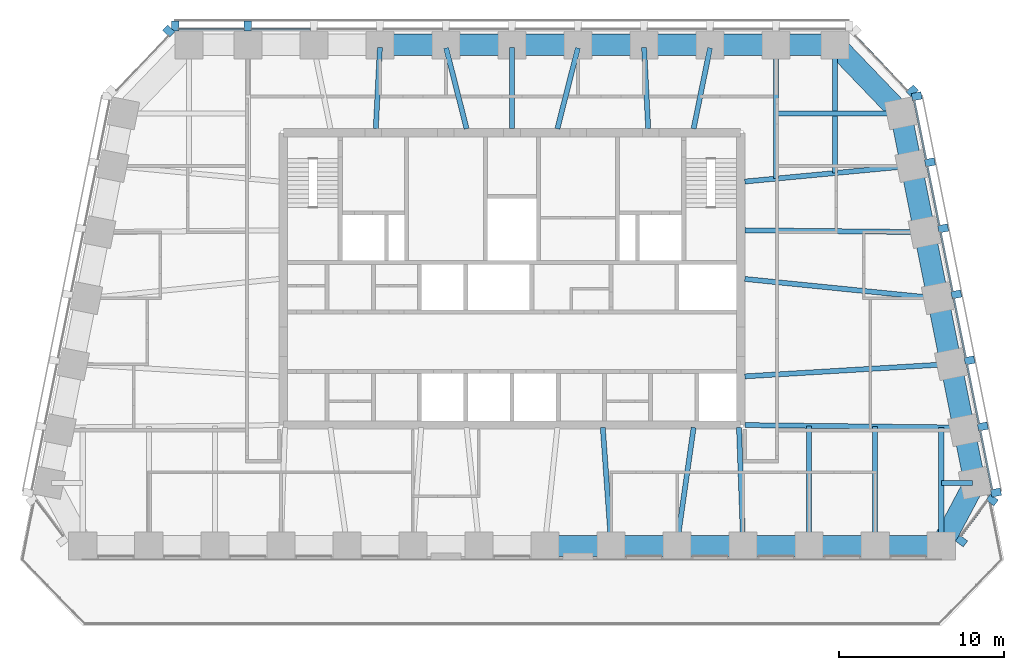
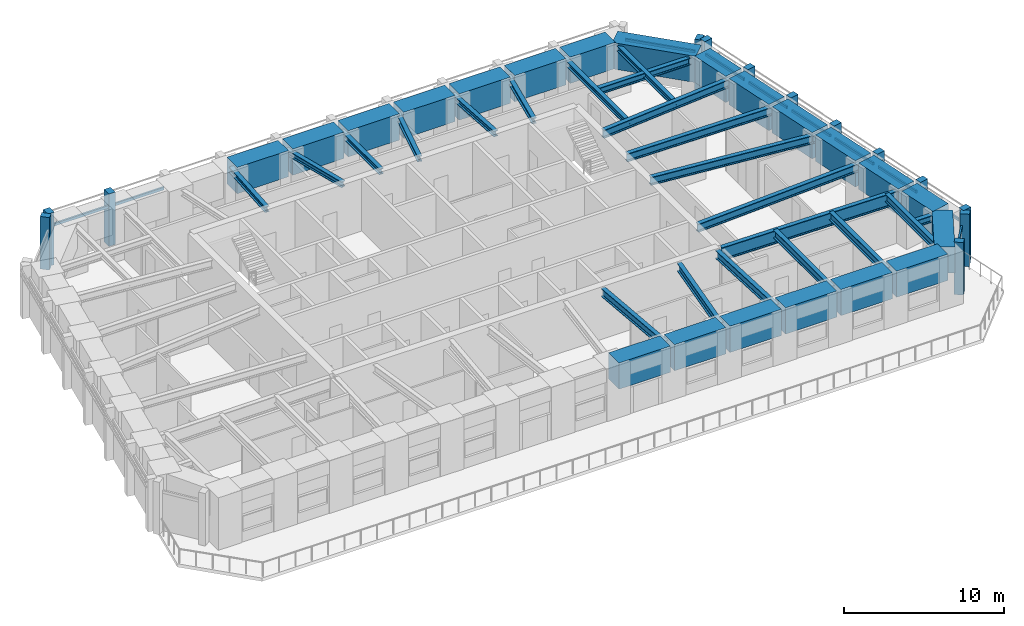
# One storey, part 2 of 10: 42 beams, 23 members, 5 elements without a shape of their own.
"""IFC4 building model written with IfcOpenShell, lengths in metres."""

from ifc_helpers import new_model, si_unit, direction, frame, origin, origin_2d, place, context, subcontext, project, spatial, rectangle, i_section, extrude, material, material_profile, profile_set, type_object, element, aggregate, save


model = new_model("IFC4")

# Units and contexts
model_context = context("Model", 3, precision=1e-05, world=origin(), true_north=direction((0.0, 1.0)))
body_context = subcontext(model_context, "Body", "Model", "MODEL_VIEW")
ifc_project = project(units=[si_unit("LENGTHUNIT", "METRE"), si_unit("AREAUNIT", "SQUARE_METRE"), si_unit("VOLUMEUNIT", "CUBIC_METRE"), si_unit("PLANEANGLEUNIT", "RADIAN"), si_unit("MASSUNIT", "GRAM", prefix="KILO")], contexts=[model_context])

# Site, building, storey
site_placement = place(None, origin())
site = spatial("IfcSite", under=ifc_project, at=site_placement, CompositionType="ELEMENT")
building_placement = place(site_placement, origin())
building = spatial("IfcBuilding", under=site, at=building_placement, Name="Isbrekke Arena Tower", CompositionType="ELEMENT")
storey_placement = place(building_placement, frame((0.0, 0.0, 296.0)))
storey = spatial("IfcBuildingStorey", under=building, at=storey_placement, Name="L69", CompositionType="ELEMENT", Elevation=296.0)

# Beams
ifc_material_1 = material(Name="Steel S355", Category="steel")
ifc_material_profile_1 = material_profile(ifc_material_1, i_section(OverallWidth=0.304931640625, OverallDepth=0.6201171875, WebThickness=0.02099609375, FlangeThickness=0.0400390625, FilletRadius=0.027099609375, at=origin_2d()), Name="HEM 600")
ifc_profile_set_1 = profile_set([ifc_material_profile_1], Name="Steel S355")
beam_type_1 = type_object("IfcBeamType", Name="B4 HEM 600", PredefinedType="BEAM", material=ifc_profile_set_1)
beam_1_placement = place(storey_placement, frame((5.999267578125, -1.01416015625, 3.5400390625), z_axis=(-0.071000313941, 0.997476293162, 0.0), x_axis=(-0.997476293162, -0.071000313941, 0.0)))
element("IfcBeam", 1, at=beam_1_placement, inside=storey, type_object=beam_type_1, Name="B4 beam C-S09 L69", PredefinedType="BEAM", context=body_context, shape_type="SweptSolid", body=[
    extrude(i_section(OverallWidth=0.304931640625, OverallDepth=0.6201171875, WebThickness=0.02099609375, FlangeThickness=0.0400390625, FilletRadius=0.027099609375, at=origin_2d()), origin(), (0.0, 0.0, 1.0), 7.031982421875),
])
beam_2_placement = place(storey_placement, frame((10.0029296875, -1.003662109375, 3.5400390625), z_axis=(0.140943016954, 0.990017709928, 0.0), x_axis=(-0.990017709928, 0.140943016954, 0.0)))
element("IfcBeam", 2, at=beam_2_placement, inside=storey, type_object=beam_type_1, Name="B4 beam C-S10 L69", PredefinedType="BEAM", context=body_context, shape_type="SweptSolid", body=[
    extrude(i_section(OverallWidth=0.304931640625, OverallDepth=0.6201171875, WebThickness=0.02099609375, FlangeThickness=0.0400390625, FilletRadius=0.027099609375, at=origin_2d()), origin(), (0.0, 0.0, 1.0), 7.07421875),
])
beam_3_placement = place(storey_placement, frame((13.999755859375, -1.01953125, 3.5400390625), z_axis=(-0.035557633654, 0.999367627397, 0.0), x_axis=(-0.999367627397, -0.035557633654, 0.0)))
element("IfcBeam", 3, at=beam_3_placement, inside=storey, type_object=beam_type_1, Name="B4 beam C-S11 L69", PredefinedType="BEAM", context=body_context, shape_type="SweptSolid", body=[
    extrude(i_section(OverallWidth=0.304931640625, OverallDepth=0.6201171875, WebThickness=0.02099609375, FlangeThickness=0.0400390625, FilletRadius=0.027099609375, at=origin_2d()), origin(), (0.0, 0.0, 1.0), 7.02392578125),
])
beam_4_placement = place(storey_placement, frame((18.0, -1.02490234375, 3.5400390625), z_axis=(0.0, 1.0, 0.0), x_axis=(-1.0, 0.0, 0.0)))
element("IfcBeam", 4, at=beam_4_placement, inside=storey, type_object=beam_type_1, Name="B4 beam C-S12 L69", PredefinedType="BEAM", context=body_context, shape_type="SweptSolid", body=[
    extrude(i_section(OverallWidth=0.304931640625, OverallDepth=0.6201171875, WebThickness=0.02099609375, FlangeThickness=0.0400390625, FilletRadius=0.027099609375, at=origin_2d()), origin(), (0.0, 0.0, 1.0), 7.130859375),
])
beam_5_placement = place(storey_placement, frame((22.0, -1.02490234375, 3.5400390625), z_axis=(0.0, 1.0, 0.0), x_axis=(-1.0, 0.0, 0.0)))
element("IfcBeam", 5, at=beam_5_placement, inside=storey, type_object=beam_type_1, Name="B4 beam C-S13 L69", PredefinedType="BEAM", context=body_context, shape_type="SweptSolid", body=[
    extrude(i_section(OverallWidth=0.304931640625, OverallDepth=0.6201171875, WebThickness=0.02099609375, FlangeThickness=0.0400390625, FilletRadius=0.027099609375, at=origin_2d()), origin(), (0.0, 0.0, 1.0), 7.085693359375),
])
beam_6_placement = place(storey_placement, frame((26.0, -1.02490234375, 3.5400390625), z_axis=(0.0, 1.0, 0.0), x_axis=(-1.0, 0.0, 0.0)))
element("IfcBeam", 6, at=beam_6_placement, inside=storey, type_object=beam_type_1, Name="B4 beam C-S14 L69", PredefinedType="BEAM", context=body_context, shape_type="SweptSolid", body=[
    extrude(i_section(OverallWidth=0.304931640625, OverallDepth=0.6201171875, WebThickness=0.02099609375, FlangeThickness=0.0400390625, FilletRadius=0.027099609375, at=origin_2d()), origin(), (0.0, 0.0, 1.0), 7.04052734375),
])
beam_7_placement = place(storey_placement, frame((26.431884765625, 9.837646484375, 3.5400390625), z_axis=(-0.998216240514, -0.059702070095, 0.0), x_axis=(0.059702070095, -0.998216240514, 0.0)))
element("IfcBeam", 7, at=beam_7_placement, inside=storey, type_object=beam_type_1, Name="B4 beam E-E03 L69", PredefinedType="BEAM", context=body_context, shape_type="SweptSolid", body=[
    extrude(i_section(OverallWidth=0.304931640625, OverallDepth=0.6201171875, WebThickness=0.02099609375, FlangeThickness=0.0400390625, FilletRadius=0.027099609375, at=origin_2d()), origin(), (0.0, 0.0, 1.0), 12.353759765625),
])
beam_8_placement = place(storey_placement, frame((25.625732421875, 13.83984375, 3.5400390625), z_axis=(-0.994972081505, 0.100152668587, 0.0), x_axis=(-0.100152668587, -0.994972081505, 0.0)))
element("IfcBeam", 8, at=beam_8_placement, inside=storey, type_object=beam_type_1, Name="B4 beam E-E04 L69", PredefinedType="BEAM", context=body_context, shape_type="SweptSolid", body=[
    extrude(i_section(OverallWidth=0.304931640625, OverallDepth=0.6201171875, WebThickness=0.02099609375, FlangeThickness=0.0400390625, FilletRadius=0.027099609375, at=origin_2d()), origin(), (0.0, 0.0, 1.0), 11.583984375),
])
beam_9_placement = place(storey_placement, frame((24.83935546875, 17.838134765625, 3.5400390625), z_axis=(-0.999945800258, 0.010411366203, 0.0), x_axis=(-0.010411366203, -0.999945800258, 0.0)))
element("IfcBeam", 9, at=beam_9_placement, inside=storey, type_object=beam_type_1, Name="B4 beam E-E05 L69", PredefinedType="BEAM", context=body_context, shape_type="SweptSolid", body=[
    extrude(i_section(OverallWidth=0.304931640625, OverallDepth=0.6201171875, WebThickness=0.02099609375, FlangeThickness=0.0400390625, FilletRadius=0.027099609375, at=origin_2d()), origin(), (0.0, 0.0, 1.0), 10.73974609375),
])
beam_10_placement = place(storey_placement, frame((24.02685546875, 21.8369140625, 3.5400390625), z_axis=(-0.995574576627, -0.093974796485, 0.0), x_axis=(0.093974796485, -0.995574576627, 0.0)))
element("IfcBeam", 10, at=beam_10_placement, inside=storey, type_object=beam_type_1, Name="B4 beam E-E06 L69", PredefinedType="BEAM", context=body_context, shape_type="SweptSolid", body=[
    extrude(i_section(OverallWidth=0.304931640625, OverallDepth=0.6201171875, WebThickness=0.02099609375, FlangeThickness=0.0400390625, FilletRadius=0.027099609375, at=origin_2d()), origin(), (0.0, 0.0, 1.0), 9.970947265625),
])
ifc_material_2 = material(Name="Steel S355", Category="steel")
ifc_material_profile_2 = material_profile(ifc_material_2, i_section(OverallWidth=0.305908203125, OverallDepth=0.52392578125, WebThickness=0.02099609375, FlangeThickness=0.0400390625, FilletRadius=0.027099609375, at=origin_2d()), Name="HEM 500")
ifc_profile_set_2 = profile_set([ifc_material_profile_2], Name="Steel S355")
beam_type_2 = type_object("IfcBeamType", Name="B5 HEM 500", PredefinedType="BEAM", material=ifc_profile_set_2)
beam_11_placement = place(storey_placement, frame((27.879150390625, 2.647216796875, 3.587890625), z_axis=(-1.0, 0.0, 0.0), x_axis=(0.0, -1.0, 0.0)))
element("IfcBeam", 11, at=beam_11_placement, inside=storey, type_object=beam_type_2, Name="B5 beam E-E01 L69", PredefinedType="BEAM", context=body_context, shape_type="SweptSolid", body=[
    extrude(i_section(OverallWidth=0.305908203125, OverallDepth=0.52392578125, WebThickness=0.02099609375, FlangeThickness=0.0400390625, FilletRadius=0.027099609375, at=origin_2d()), origin(), (0.0, 0.0, 1.0), 1.879150390625),
])
beam_12_placement = place(storey_placement, frame((23.40283203125, 25.029296875, 3.587890625), z_axis=(-1.0, 0.0, 0.0), x_axis=(0.0, -1.0, 0.0)))
element("IfcBeam", 12, at=beam_12_placement, inside=storey, type_object=beam_type_2, Name="B5 beam E-E07 L69", PredefinedType="BEAM", context=body_context, shape_type="SweptSolid", body=[
    extrude(i_section(OverallWidth=0.305908203125, OverallDepth=0.52392578125, WebThickness=0.02099609375, FlangeThickness=0.0400390625, FilletRadius=0.027099609375, at=origin_2d()), origin(), (0.0, 0.0, 1.0), 7.40283203125),
])
ifc_material_3 = material(Name="Steel S355", Category="steel")
ifc_material_profile_3 = material_profile(ifc_material_3, i_section(OverallWidth=0.306884765625, OverallDepth=0.431884765625, WebThickness=0.02099609375, FlangeThickness=0.0400390625, FilletRadius=0.027099609375, at=origin_2d()), Name="HEM 400")
ifc_profile_set_3 = profile_set([ifc_material_profile_3], Name="Steel S355")
beam_type_3 = type_object("IfcBeamType", Name="B6 HEM 400", PredefinedType="BEAM", material=ifc_profile_set_3)
beam_13_placement = place(storey_placement, frame((19.574951171875, 29.02490234375, 3.634033203125), z_axis=(0.0, -1.0, 0.0), x_axis=(1.0, 0.0, 0.0)))
element("IfcBeam", 13, at=beam_13_placement, inside=storey, type_object=beam_type_3, Name="B6 beam N-N01 L69", PredefinedType="BEAM", context=body_context, shape_type="SweptSolid", body=[
    extrude(i_section(OverallWidth=0.306884765625, OverallDepth=0.431884765625, WebThickness=0.02099609375, FlangeThickness=0.0400390625, FilletRadius=0.027099609375, at=origin_2d()), origin(), (0.0, 0.0, 1.0), 7.608154296875),
])
beam_14_placement = place(storey_placement, frame((16.0, 29.02490234375, 3.634033203125), z_axis=(0.0, -1.0, 0.0), x_axis=(1.0, 0.0, 0.0)))
element("IfcBeam", 14, at=beam_14_placement, inside=storey, type_object=beam_type_3, Name="B6 beam N-N02 L69", PredefinedType="BEAM", context=body_context, shape_type="SweptSolid", body=[
    extrude(i_section(OverallWidth=0.306884765625, OverallDepth=0.431884765625, WebThickness=0.02099609375, FlangeThickness=0.0400390625, FilletRadius=0.027099609375, at=origin_2d()), origin(), (0.0, 0.0, 1.0), 7.945556640625),
])
beam_15_placement = place(storey_placement, frame((11.993896484375, 28.9951171875, 3.634033203125), z_axis=(-0.198982177337, -0.980003108721, 0.0), x_axis=(0.980003108721, -0.198982177337, 0.0)))
element("IfcBeam", 15, at=beam_15_placement, inside=storey, type_object=beam_type_3, Name="B6 beam N-N03 L69", PredefinedType="BEAM", context=body_context, shape_type="SweptSolid", body=[
    extrude(i_section(OverallWidth=0.306884765625, OverallDepth=0.431884765625, WebThickness=0.02099609375, FlangeThickness=0.0400390625, FilletRadius=0.027099609375, at=origin_2d()), origin(), (0.0, 0.0, 1.0), 4.994873046875),
])
beam_16_placement = place(storey_placement, frame((8.00048828125, 29.017333984375, 3.634033203125), z_axis=(0.050677067868, -0.998715091902, 0.0), x_axis=(0.998715091902, 0.050677067868, 0.0)))
element("IfcBeam", 16, at=beam_16_placement, inside=storey, type_object=beam_type_3, Name="B6 beam N-N04 L69", PredefinedType="BEAM", context=body_context, shape_type="SweptSolid", body=[
    extrude(i_section(OverallWidth=0.306884765625, OverallDepth=0.431884765625, WebThickness=0.02099609375, FlangeThickness=0.0400390625, FilletRadius=0.027099609375, at=origin_2d()), origin(), (0.0, 0.0, 1.0), 4.923583984375),
])
beam_17_placement = place(storey_placement, frame((3.99072265625, 28.98828125, 3.634033203125), z_axis=(-0.246019579109, -0.969264858898, 0.0), x_axis=(0.969264858898, -0.246019579109, 0.0)))
element("IfcBeam", 17, at=beam_17_placement, inside=storey, type_object=beam_type_3, Name="B6 beam N-N05 L69", PredefinedType="BEAM", context=body_context, shape_type="SweptSolid", body=[
    extrude(i_section(OverallWidth=0.306884765625, OverallDepth=0.431884765625, WebThickness=0.02099609375, FlangeThickness=0.0400390625, FilletRadius=0.027099609375, at=origin_2d()), origin(), (0.0, 0.0, 1.0), 5.043212890625),
])
beam_18_placement = place(storey_placement, frame((0.0, 29.02490234375, 3.634033203125), z_axis=(0.0, -1.0, 0.0), x_axis=(1.0, 0.0, 0.0)))
element("IfcBeam", 18, at=beam_18_placement, inside=storey, type_object=beam_type_3, Name="B6 beam N-N06 L69", PredefinedType="BEAM", context=body_context, shape_type="SweptSolid", body=[
    extrude(i_section(OverallWidth=0.306884765625, OverallDepth=0.431884765625, WebThickness=0.02099609375, FlangeThickness=0.0400390625, FilletRadius=0.027099609375, at=origin_2d()), origin(), (0.0, 0.0, 1.0), 4.9248046875),
])
beam_19_placement = place(storey_placement, frame((-3.99072265625, 28.98828125, 3.634033203125), z_axis=(0.246019579109, -0.969264858898, 0.0), x_axis=(0.969264858898, 0.246019579109, 0.0)))
element("IfcBeam", 19, at=beam_19_placement, inside=storey, type_object=beam_type_3, Name="B6 beam N-N07 L69", PredefinedType="BEAM", context=body_context, shape_type="SweptSolid", body=[
    extrude(i_section(OverallWidth=0.306884765625, OverallDepth=0.431884765625, WebThickness=0.02099609375, FlangeThickness=0.0400390625, FilletRadius=0.027099609375, at=origin_2d()), origin(), (0.0, 0.0, 1.0), 5.043212890625),
])
beam_20_placement = place(storey_placement, frame((-8.00048828125, 29.017333984375, 3.634033203125), z_axis=(-0.050677067868, -0.998715091902, 0.0), x_axis=(0.998715091902, -0.050677067868, 0.0)))
element("IfcBeam", 20, at=beam_20_placement, inside=storey, type_object=beam_type_3, Name="B6 beam N-N08 L69", PredefinedType="BEAM", context=body_context, shape_type="SweptSolid", body=[
    extrude(i_section(OverallWidth=0.306884765625, OverallDepth=0.431884765625, WebThickness=0.02099609375, FlangeThickness=0.0400390625, FilletRadius=0.027099609375, at=origin_2d()), origin(), (0.0, 0.0, 1.0), 4.923583984375),
])

# Curtain wall, members
ifc_material_4 = material(Name="Glazed aluminium curtain wall", Category="aluminium")
curtain_wall_type = type_object("IfcCurtainWallType", Name="CWT TOWER CURTAIN WALL TOP ZONE", PredefinedType="USERDEFINED", material=ifc_material_4)
curtain_wall_1_placement = place(storey_placement, origin())
curtain_wall_1 = element("IfcCurtainWall", 21, at=curtain_wall_1_placement, inside=storey, type_object=curtain_wall_type, Name="CWT curtain wall L69-SE", ObjectType="TOWER CURTAIN WALL TOP ZONE", PredefinedType="USERDEFINED")
ifc_material_5 = material(Name="Copper-clad aluminium mullion", Category="aluminium")
ifc_material_profile_4 = material_profile(ifc_material_5, rectangle(XDim=0.449951171875, YDim=0.60009765625, at=origin_2d()), Name="PIER 450X600")
ifc_profile_set_4 = profile_set([ifc_material_profile_4], Name="Copper-clad aluminium mullion")
member_type_1 = type_object("IfcMemberType", Name="CWT-M PIER MULLION 450 x 600", PredefinedType="MULLION", material=ifc_profile_set_4)
member_1_placement = place(storey_placement, frame((27.222900390625, -0.869384765625, 0.0), z_axis=(0.0, 0.0, 1.0), x_axis=(0.600000000002, 0.799999999998, 0.0)))
member_1 = element("IfcMember", 22, at=member_1_placement, type_object=member_type_1, Name="CWT-M mullion 1", PredefinedType="MULLION", context=body_context, shape_type="SweptSolid", body=[
    extrude(rectangle(XDim=0.449951171875, YDim=0.60009765625, at=origin_2d()), origin(), (0.0, 0.0, 1.0), 4.0),
])
member_2_placement = place(storey_placement, frame((29.084716796875, 1.613037109375, 0.0), z_axis=(0.0, 0.0, 1.0), x_axis=(0.600000000002, 0.799999999998, 0.0)))
member_2 = element("IfcMember", 23, at=member_2_placement, type_object=member_type_1, Name="CWT-M mullion 2", PredefinedType="MULLION", context=body_context, shape_type="SweptSolid", body=[
    extrude(rectangle(XDim=0.449951171875, YDim=0.60009765625, at=origin_2d()), origin(), (0.0, 0.0, 1.0), 4.0),
])

curtain_wall_2_placement = place(storey_placement, origin())
curtain_wall_2 = element("IfcCurtainWall", 24, at=curtain_wall_2_placement, inside=storey, type_object=curtain_wall_type, Name="CWT curtain wall L69-E", ObjectType="TOWER CURTAIN WALL TOP ZONE", PredefinedType="USERDEFINED")
member_3_placement = place(storey_placement, frame((29.318603515625, 2.063720703125, 0.0), z_axis=(0.0, 0.0, 1.0), x_axis=(-0.196116135138, 0.980580675691, 0.0)))
member_3 = element("IfcMember", 25, at=member_3_placement, type_object=member_type_1, Name="CWT-M mullion 1", PredefinedType="MULLION", context=body_context, shape_type="SweptSolid", body=[
    extrude(rectangle(XDim=0.449951171875, YDim=0.60009765625, at=origin_2d()), origin(), (0.0, 0.0, 1.0), 4.0),
])
member_4_placement = place(storey_placement, frame((28.518798828125, 6.063720703125, 0.0), z_axis=(0.0, 0.0, 1.0), x_axis=(-0.196116135138, 0.980580675691, 0.0)))
member_4 = element("IfcMember", 26, at=member_4_placement, type_object=member_type_1, Name="CWT-M mullion 2", PredefinedType="MULLION", context=body_context, shape_type="SweptSolid", body=[
    extrude(rectangle(XDim=0.449951171875, YDim=0.60009765625, at=origin_2d()), origin(), (0.0, 0.0, 1.0), 4.0),
])
member_5_placement = place(storey_placement, frame((27.71875, 10.063720703125, 0.0), z_axis=(0.0, 0.0, 1.0), x_axis=(-0.196116135138, 0.980580675691, 0.0)))
member_5 = element("IfcMember", 27, at=member_5_placement, type_object=member_type_1, Name="CWT-M mullion 3", PredefinedType="MULLION", context=body_context, shape_type="SweptSolid", body=[
    extrude(rectangle(XDim=0.449951171875, YDim=0.60009765625, at=origin_2d()), origin(), (0.0, 0.0, 1.0), 4.0),
])
member_6_placement = place(storey_placement, frame((26.918701171875, 14.063720703125, 0.0), z_axis=(0.0, 0.0, 1.0), x_axis=(-0.196116135138, 0.980580675691, 0.0)))
member_6 = element("IfcMember", 28, at=member_6_placement, type_object=member_type_1, Name="CWT-M mullion 4", PredefinedType="MULLION", context=body_context, shape_type="SweptSolid", body=[
    extrude(rectangle(XDim=0.449951171875, YDim=0.60009765625, at=origin_2d()), origin(), (0.0, 0.0, 1.0), 4.0),
])
member_7_placement = place(storey_placement, frame((26.11865234375, 18.063720703125, 0.0), z_axis=(0.0, 0.0, 1.0), x_axis=(-0.196116135138, 0.980580675691, 0.0)))
member_7 = element("IfcMember", 29, at=member_7_placement, type_object=member_type_1, Name="CWT-M mullion 5", PredefinedType="MULLION", context=body_context, shape_type="SweptSolid", body=[
    extrude(rectangle(XDim=0.449951171875, YDim=0.60009765625, at=origin_2d()), origin(), (0.0, 0.0, 1.0), 4.0),
])
member_8_placement = place(storey_placement, frame((25.318603515625, 22.063720703125, 0.0), z_axis=(0.0, 0.0, 1.0), x_axis=(-0.196116135138, 0.980580675691, 0.0)))
member_8 = element("IfcMember", 30, at=member_8_placement, type_object=member_type_1, Name="CWT-M mullion 6", PredefinedType="MULLION", context=body_context, shape_type="SweptSolid", body=[
    extrude(rectangle(XDim=0.449951171875, YDim=0.60009765625, at=origin_2d()), origin(), (0.0, 0.0, 1.0), 4.0),
])
member_9_placement = place(storey_placement, frame((24.518798828125, 26.063720703125, 0.0), z_axis=(0.0, 0.0, 1.0), x_axis=(-0.196116135138, 0.980580675691, 0.0)))
member_9 = element("IfcMember", 31, at=member_9_placement, type_object=member_type_1, Name="CWT-M mullion 7", PredefinedType="MULLION", context=body_context, shape_type="SweptSolid", body=[
    extrude(rectangle(XDim=0.449951171875, YDim=0.60009765625, at=origin_2d()), origin(), (0.0, 0.0, 1.0), 4.0),
])

# Curtain wall, member
curtain_wall_3_placement = place(storey_placement, origin())
curtain_wall_3 = element("IfcCurtainWall", 32, at=curtain_wall_3_placement, inside=storey, type_object=curtain_wall_type, Name="CWT curtain wall L69-EN", ObjectType="TOWER CURTAIN WALL TOP ZONE", PredefinedType="USERDEFINED")
member_10_placement = place(storey_placement, frame((24.244384765625, 26.388671875, 0.0), z_axis=(0.0, 0.0, 1.0), x_axis=(-0.68874946192, 0.72499943359, 0.0)))
member_10 = element("IfcMember", 33, at=member_10_placement, type_object=member_type_1, Name="CWT-M mullion 1", PredefinedType="MULLION", context=body_context, shape_type="SweptSolid", body=[
    extrude(rectangle(XDim=0.449951171875, YDim=0.60009765625, at=origin_2d()), origin(), (0.0, 0.0, 1.0), 4.0),
])

# Curtain wall, members
curtain_wall_4_placement = place(storey_placement, origin())
curtain_wall_4 = element("IfcCurtainWall", 34, at=curtain_wall_4_placement, inside=storey, type_object=curtain_wall_type, Name="CWT curtain wall L69-N", ObjectType="TOWER CURTAIN WALL TOP ZONE", PredefinedType="USERDEFINED")
member_11_placement = place(storey_placement, frame((-16.0, 30.324951171875, 0.0), z_axis=(0.0, 0.0, 1.0), x_axis=(-1.0, 0.0, 0.0)))
member_11 = element("IfcMember", 35, at=member_11_placement, type_object=member_type_1, Name="CWT-M mullion 10", PredefinedType="MULLION", context=body_context, shape_type="SweptSolid", body=[
    extrude(rectangle(XDim=0.449951171875, YDim=0.60009765625, at=origin_2d()), origin(), (0.0, 0.0, 1.0), 4.0),
])
member_12_placement = place(storey_placement, frame((-20.39990234375, 30.324951171875, 0.0), z_axis=(0.0, 0.0, 1.0), x_axis=(-1.0, 0.0, 0.0)))
member_12 = element("IfcMember", 36, at=member_12_placement, type_object=member_type_1, Name="CWT-M mullion 11", PredefinedType="MULLION", context=body_context, shape_type="SweptSolid", body=[
    extrude(rectangle(XDim=0.449951171875, YDim=0.60009765625, at=origin_2d()), origin(), (0.0, 0.0, 1.0), 4.0),
])

# Curtain wall, member
curtain_wall_5_placement = place(storey_placement, origin())
curtain_wall_5 = element("IfcCurtainWall", 37, at=curtain_wall_5_placement, inside=storey, type_object=curtain_wall_type, Name="CWT curtain wall L69-NW", ObjectType="TOWER CURTAIN WALL TOP ZONE", PredefinedType="USERDEFINED")
member_13_placement = place(storey_placement, frame((-20.795166015625, 30.01953125, 0.0), z_axis=(0.0, 0.0, 1.0), x_axis=(-0.68874946192, -0.72499943359, 0.0)))
member_13 = element("IfcMember", 38, at=member_13_placement, type_object=member_type_1, Name="CWT-M mullion 1", PredefinedType="MULLION", context=body_context, shape_type="SweptSolid", body=[
    extrude(rectangle(XDim=0.449951171875, YDim=0.60009765625, at=origin_2d()), origin(), (0.0, 0.0, 1.0), 4.0),
])
aggregate(curtain_wall_5, [member_13])

# Member
ifc_material_6 = material(Name="Aluminium transom", Category="aluminium")
ifc_material_profile_5 = material_profile(ifc_material_6, rectangle(XDim=0.1201171875, YDim=0.199951171875, at=origin_2d()), Name="TRANSOM 120X200")
ifc_profile_set_5 = profile_set([ifc_material_profile_5], Name="Aluminium transom")
member_type_2 = type_object("IfcMemberType", Name="CWT-T TRANSOM 120 x 200", PredefinedType="USERDEFINED", material=ifc_profile_set_5)
member_14_placement = place(storey_placement, frame((27.197998046875, -0.5693359375, 3.0), z_axis=(0.600014724186, 0.799988956649, 0.0), x_axis=(-0.799988956649, 0.600014724186, 0.0)))
member_14 = element("IfcMember", 39, at=member_14_placement, type_object=member_type_2, Name="CWT-T transom 1", ObjectType="TRANSOM", PredefinedType="USERDEFINED", context=body_context, shape_type="SweptSolid", body=[
    extrude(rectangle(XDim=0.1201171875, YDim=0.199951171875, at=origin_2d()), origin(), (0.0, 0.0, 1.0), 2.65283203125),
])

aggregate(curtain_wall_1, [member_1, member_2, member_14])

member_15_placement = place(storey_placement, frame((29.078369140625, 2.2451171875, 3.0), z_axis=(-0.196090262229, 0.980585849918, 0.0), x_axis=(-0.980585849918, -0.196090262229, 0.0)))
member_15 = element("IfcMember", 40, at=member_15_placement, type_object=member_type_2, Name="CWT-T transom 1", ObjectType="TRANSOM", PredefinedType="USERDEFINED", context=body_context, shape_type="SweptSolid", body=[
    extrude(rectangle(XDim=0.1201171875, YDim=0.199951171875, at=origin_2d()), origin(), (0.0, 0.0, 1.0), 3.62939453125),
])

member_16_placement = place(storey_placement, frame((28.278564453125, 6.2451171875, 3.0), z_axis=(-0.196154943734, 0.980572913173, 0.0), x_axis=(-0.980572913173, -0.196154943734, 0.0)))
member_16 = element("IfcMember", 41, at=member_16_placement, type_object=member_type_2, Name="CWT-T transom 2", ObjectType="TRANSOM", PredefinedType="USERDEFINED", context=body_context, shape_type="SweptSolid", body=[
    extrude(rectangle(XDim=0.1201171875, YDim=0.199951171875, at=origin_2d()), origin(), (0.0, 0.0, 1.0), 3.62939453125),
])

member_17_placement = place(storey_placement, frame((27.478515625, 10.2451171875, 3.0), z_axis=(-0.196154943734, 0.980572913173, 0.0), x_axis=(-0.980572913173, -0.196154943734, 0.0)))
member_17 = element("IfcMember", 42, at=member_17_placement, type_object=member_type_2, Name="CWT-T transom 3", ObjectType="TRANSOM", PredefinedType="USERDEFINED", context=body_context, shape_type="SweptSolid", body=[
    extrude(rectangle(XDim=0.1201171875, YDim=0.199951171875, at=origin_2d()), origin(), (0.0, 0.0, 1.0), 3.62939453125),
])

member_18_placement = place(storey_placement, frame((26.678466796875, 14.2451171875, 3.0), z_axis=(-0.196090262229, 0.980585849918, 0.0), x_axis=(-0.980585849918, -0.196090262229, 0.0)))
member_18 = element("IfcMember", 43, at=member_18_placement, type_object=member_type_2, Name="CWT-T transom 4", ObjectType="TRANSOM", PredefinedType="USERDEFINED", context=body_context, shape_type="SweptSolid", body=[
    extrude(rectangle(XDim=0.1201171875, YDim=0.199951171875, at=origin_2d()), origin(), (0.0, 0.0, 1.0), 3.62939453125),
])

member_19_placement = place(storey_placement, frame((25.87841796875, 18.2451171875, 3.0), z_axis=(-0.196090262229, 0.980585849918, 0.0), x_axis=(-0.980585849918, -0.196090262229, 0.0)))
member_19 = element("IfcMember", 44, at=member_19_placement, type_object=member_type_2, Name="CWT-T transom 5", ObjectType="TRANSOM", PredefinedType="USERDEFINED", context=body_context, shape_type="SweptSolid", body=[
    extrude(rectangle(XDim=0.1201171875, YDim=0.199951171875, at=origin_2d()), origin(), (0.0, 0.0, 1.0), 3.62939453125),
])

member_20_placement = place(storey_placement, frame((25.078369140625, 22.2451171875, 3.0), z_axis=(-0.196090262229, 0.980585849918, 0.0), x_axis=(-0.980585849918, -0.196090262229, 0.0)))
member_20 = element("IfcMember", 45, at=member_20_placement, type_object=member_type_2, Name="CWT-T transom 6", ObjectType="TRANSOM", PredefinedType="USERDEFINED", context=body_context, shape_type="SweptSolid", body=[
    extrude(rectangle(XDim=0.1201171875, YDim=0.199951171875, at=origin_2d()), origin(), (0.0, 0.0, 1.0), 3.62939453125),
])

aggregate(curtain_wall_2, [member_3, member_4, member_5, member_6, member_7, member_8, member_9, member_15, member_16, member_17, member_18, member_19, member_20])

member_21_placement = place(storey_placement, frame((23.944580078125, 26.4140625, 3.0), z_axis=(-0.688771983213, 0.724978037696, 0.0), x_axis=(-0.724978037696, -0.688771983213, 0.0)))
member_21 = element("IfcMember", 46, at=member_21_placement, type_object=member_type_2, Name="CWT-T transom 1", ObjectType="TRANSOM", PredefinedType="USERDEFINED", context=body_context, shape_type="SweptSolid", body=[
    extrude(rectangle(XDim=0.1201171875, YDim=0.199951171875, at=origin_2d()), origin(), (0.0, 0.0, 1.0), 4.558349609375),
])

aggregate(curtain_wall_3, [member_10, member_21])

member_22_placement = place(storey_placement, frame((-12.22509765625, 30.125, 3.0), z_axis=(-1.0, 0.0, 0.0), x_axis=(0.0, -1.0, 0.0)))
member_22 = element("IfcMember", 47, at=member_22_placement, type_object=member_type_2, Name="CWT-T transom 9", ObjectType="TRANSOM", PredefinedType="USERDEFINED", context=body_context, shape_type="SweptSolid", body=[
    extrude(rectangle(XDim=0.1201171875, YDim=0.199951171875, at=origin_2d()), origin(), (0.0, 0.0, 1.0), 3.5498046875),
])

member_23_placement = place(storey_placement, frame((-16.22509765625, 30.125, 3.0), z_axis=(-1.0, 0.0, 0.0), x_axis=(0.0, -1.0, 0.0)))
member_23 = element("IfcMember", 48, at=member_23_placement, type_object=member_type_2, Name="CWT-T transom 10", ObjectType="TRANSOM", PredefinedType="USERDEFINED", context=body_context, shape_type="SweptSolid", body=[
    extrude(rectangle(XDim=0.1201171875, YDim=0.199951171875, at=origin_2d()), origin(), (0.0, 0.0, 1.0), 3.949951171875),
])

aggregate(curtain_wall_4, [member_11, member_12, member_22, member_23])

# Beams
ifc_material_7 = material(Name="Steel S355", Category="steel")
ifc_material_profile_6 = material_profile(ifc_material_7, i_section(OverallWidth=0.302001953125, OverallDepth=1.008056640625, WebThickness=0.02099609375, FlangeThickness=0.0400390625, FilletRadius=0.030029296875, at=origin_2d()), Name="HEM 1000")
ifc_profile_set_6 = profile_set([ifc_material_profile_6], Name="Steel S355")
beam_type_4 = type_object("IfcBeamType", Name="G2 HEM 1000", PredefinedType="BEAM", material=ifc_profile_set_6)
beam_21_placement = place(storey_placement, frame((14.10009765625, 6.14990234375, 3.345947265625), z_axis=(0.999936387749, -0.011279204565, 0.0), x_axis=(0.011279204565, 0.999936387749, 0.0)))
element("IfcBeam", 49, at=beam_21_placement, inside=storey, type_object=beam_type_4, Name="G2 beam G2-E L69", PredefinedType="BEAM", context=body_context, shape_type="SweptSolid", body=[
    extrude(i_section(OverallWidth=0.302001953125, OverallDepth=1.008056640625, WebThickness=0.02099609375, FlangeThickness=0.0400390625, FilletRadius=0.030029296875, at=origin_2d()), origin(), (0.0, 0.0, 1.0), 13.2900390625),
])
ifc_material_8 = material(Name="Concrete B55 (C55/67)", Category="concrete")
ifc_material_profile_7 = material_profile(ifc_material_8, rectangle(XDim=1.300048828125, YDim=2.0, at=origin_2d()), Name="RC 1300x2000")
ifc_profile_set_7 = profile_set([ifc_material_profile_7], Name="Concrete B55 (C55/67)")
beam_type_5 = type_object("IfcBeamType", Name="SB4 RC 1300 x 2000", PredefinedType="SPANDREL", material=ifc_profile_set_7)
for number, where, z_axis, x_axis, name in (
    (50, (2.14990234375, -1.175048828125, 3.0), (1.0, 0.0, 0.0), (0.0, 1.0, 0.0), "SB4 spandrel S08-S09 L69"),
    (51, (6.14990234375, -1.175048828125, 3.0), (1.0, 0.0, 0.0), (0.0, 1.0, 0.0), "SB4 spandrel S09-S10 L69"),
    (52, (10.14990234375, -1.175048828125, 3.0), (1.0, 0.0, 0.0), (0.0, 1.0, 0.0), "SB4 spandrel S10-S11 L69"),
    (53, (14.14990234375, -1.175048828125, 3.0), (1.0, 0.0, 0.0), (0.0, 1.0, 0.0), "SB4 spandrel S11-S12 L69"),
    (54, (18.14990234375, -1.175048828125, 3.0), (1.0, 0.0, 0.0), (0.0, 1.0, 0.0), "SB4 spandrel S12-S13 L69"),
    (55, (22.14990234375, -1.175048828125, 3.0), (1.0, 0.0, 0.0), (0.0, 1.0, 0.0), "SB4 spandrel S13-S14 L69"),
):
    element("IfcBeam", number, at=place(storey_placement, frame(where, z_axis=z_axis, x_axis=x_axis)), inside=storey, type_object=beam_type_5, Name=name, PredefinedType="SPANDREL", context=body_context, shape_type="SweptSolid", body=[
        extrude(rectangle(XDim=1.300048828125, YDim=2.0, at=origin_2d()), origin(), (0.0, 0.0, 1.0), 3.7001953125),
    ])
beam_22_placement = place(storey_placement, frame((26.0703125, -1.04248046875, 3.0), z_axis=(0.468951332977, 0.883224007429, 0.0), x_axis=(-0.883224007429, 0.468951332977, 0.0)))
element("IfcBeam", 56, at=beam_22_placement, inside=storey, type_object=beam_type_5, Name="SB4 spandrel S14-E01 L69", PredefinedType="SPANDREL", context=body_context, shape_type="SweptSolid", body=[
    extrude(rectangle(XDim=1.300048828125, YDim=2.0, at=origin_2d()), origin(), (0.0, 0.0, 1.0), 4.02734375),
])
beam_23_placement = place(storey_placement, frame((27.999755859375, 2.794189453125, 3.0), z_axis=(-0.196100243168, 0.980583853951, 0.0), x_axis=(-0.980583853951, -0.196100243168, 0.0)))
element("IfcBeam", 57, at=beam_23_placement, inside=storey, type_object=beam_type_5, Name="SB4 spandrel E01-E02 L69", PredefinedType="SPANDREL", context=body_context, shape_type="SweptSolid", body=[
    extrude(rectangle(XDim=1.300048828125, YDim=2.0, at=origin_2d()), origin(), (0.0, 0.0, 1.0), 2.954345703125),
])
beam_24_placement = place(storey_placement, frame((27.361572265625, 5.9853515625, 3.0), z_axis=(-0.196128558387, 0.980578190959, 0.0), x_axis=(-0.980578190959, -0.196128558387, 0.0)))
element("IfcBeam", 58, at=beam_24_placement, inside=storey, type_object=beam_type_5, Name="SB4 spandrel E02-E03 L69", PredefinedType="SPANDREL", context=body_context, shape_type="SweptSolid", body=[
    extrude(rectangle(XDim=1.300048828125, YDim=2.0, at=origin_2d()), origin(), (0.0, 0.0, 1.0), 3.779296875),
])
beam_25_placement = place(storey_placement, frame((26.5615234375, 9.9853515625, 3.0), z_axis=(-0.1960664412, 0.980590613169, 0.0), x_axis=(-0.980590613169, -0.1960664412, 0.0)))
element("IfcBeam", 59, at=beam_25_placement, inside=storey, type_object=beam_type_5, Name="SB4 spandrel E03-E04 L69", PredefinedType="SPANDREL", context=body_context, shape_type="SweptSolid", body=[
    extrude(rectangle(XDim=1.300048828125, YDim=2.0, at=origin_2d()), origin(), (0.0, 0.0, 1.0), 3.779052734375),
])
for number, where, z_axis, x_axis, name in (
    (60, (25.76171875, 13.9853515625, 3.0), (-0.196128558387, 0.980578190959, 0.0), (-0.980578190959, -0.196128558387, 0.0), "SB4 spandrel E04-E05 L69"),
    (61, (24.961669921875, 17.9853515625, 3.0), (-0.196128558387, 0.980578190959, 0.0), (-0.980578190959, -0.196128558387, 0.0), "SB4 spandrel E05-E06 L69"),
):
    element("IfcBeam", number, at=place(storey_placement, frame(where, z_axis=z_axis, x_axis=x_axis)), inside=storey, type_object=beam_type_5, Name=name, PredefinedType="SPANDREL", context=body_context, shape_type="SweptSolid", body=[
        extrude(rectangle(XDim=1.300048828125, YDim=2.0, at=origin_2d()), origin(), (0.0, 0.0, 1.0), 3.779296875),
    ])
beam_26_placement = place(storey_placement, frame((24.16162109375, 21.9853515625, 3.0), z_axis=(-0.196116135138, 0.980580675691, 0.0), x_axis=(-0.980580675691, -0.196116135138, 0.0)))
element("IfcBeam", 62, at=beam_26_placement, inside=storey, type_object=beam_type_5, Name="SB4 spandrel E06-E07 L69", PredefinedType="SPANDREL", context=body_context, shape_type="SweptSolid", body=[
    extrude(rectangle(XDim=1.300048828125, YDim=2.0, at=origin_2d()), origin(), (0.0, 0.0, 1.0), 2.9541015625),
])
beam_27_placement = place(storey_placement, frame((23.448974609375, 25.137451171875, 3.0), z_axis=(-0.692339547635, 0.721571861134, 0.0), x_axis=(-0.721571861134, -0.692339547635, 0.0)))
element("IfcBeam", 63, at=beam_27_placement, inside=storey, type_object=beam_type_5, Name="SB4 spandrel E07-N01 L69", PredefinedType="SPANDREL", context=body_context, shape_type="SweptSolid", body=[
    extrude(rectangle(XDim=1.300048828125, YDim=2.0, at=origin_2d()), origin(), (0.0, 0.0, 1.0), 5.4453125),
])
beam_28_placement = place(storey_placement, frame((19.425048828125, 29.175048828125, 3.0), z_axis=(-1.0, 0.0, 0.0), x_axis=(0.0, -1.0, 0.0)))
element("IfcBeam", 64, at=beam_28_placement, inside=storey, type_object=beam_type_5, Name="SB4 spandrel N01-N02 L69", PredefinedType="SPANDREL", context=body_context, shape_type="SweptSolid", body=[
    extrude(rectangle(XDim=1.300048828125, YDim=2.0, at=origin_2d()), origin(), (0.0, 0.0, 1.0), 3.275146484375),
])
for number, where, z_axis, x_axis, name in (
    (65, (15.85009765625, 29.175048828125, 3.0), (-1.0, 0.0, 0.0), (0.0, -1.0, 0.0), "SB4 spandrel N02-N03 L69"),
    (66, (11.85009765625, 29.175048828125, 3.0), (-1.0, 0.0, 0.0), (0.0, -1.0, 0.0), "SB4 spandrel N03-N04 L69"),
    (67, (7.85009765625, 29.175048828125, 3.0), (-1.0, 0.0, 0.0), (0.0, -1.0, 0.0), "SB4 spandrel N04-N05 L69"),
    (68, (3.85009765625, 29.175048828125, 3.0), (-1.0, 0.0, 0.0), (0.0, -1.0, 0.0), "SB4 spandrel N05-N06 L69"),
    (69, (-0.14990234375, 29.175048828125, 3.0), (-1.0, 0.0, 0.0), (0.0, -1.0, 0.0), "SB4 spandrel N06-N07 L69"),
    (70, (-4.14990234375, 29.175048828125, 3.0), (-1.0, 0.0, 0.0), (0.0, -1.0, 0.0), "SB4 spandrel N07-N08 L69"),
):
    element("IfcBeam", number, at=place(storey_placement, frame(where, z_axis=z_axis, x_axis=x_axis)), inside=storey, type_object=beam_type_5, Name=name, PredefinedType="SPANDREL", context=body_context, shape_type="SweptSolid", body=[
        extrude(rectangle(XDim=1.300048828125, YDim=2.0, at=origin_2d()), origin(), (0.0, 0.0, 1.0), 3.7001953125),
    ])

save(model, "model.ifc")
